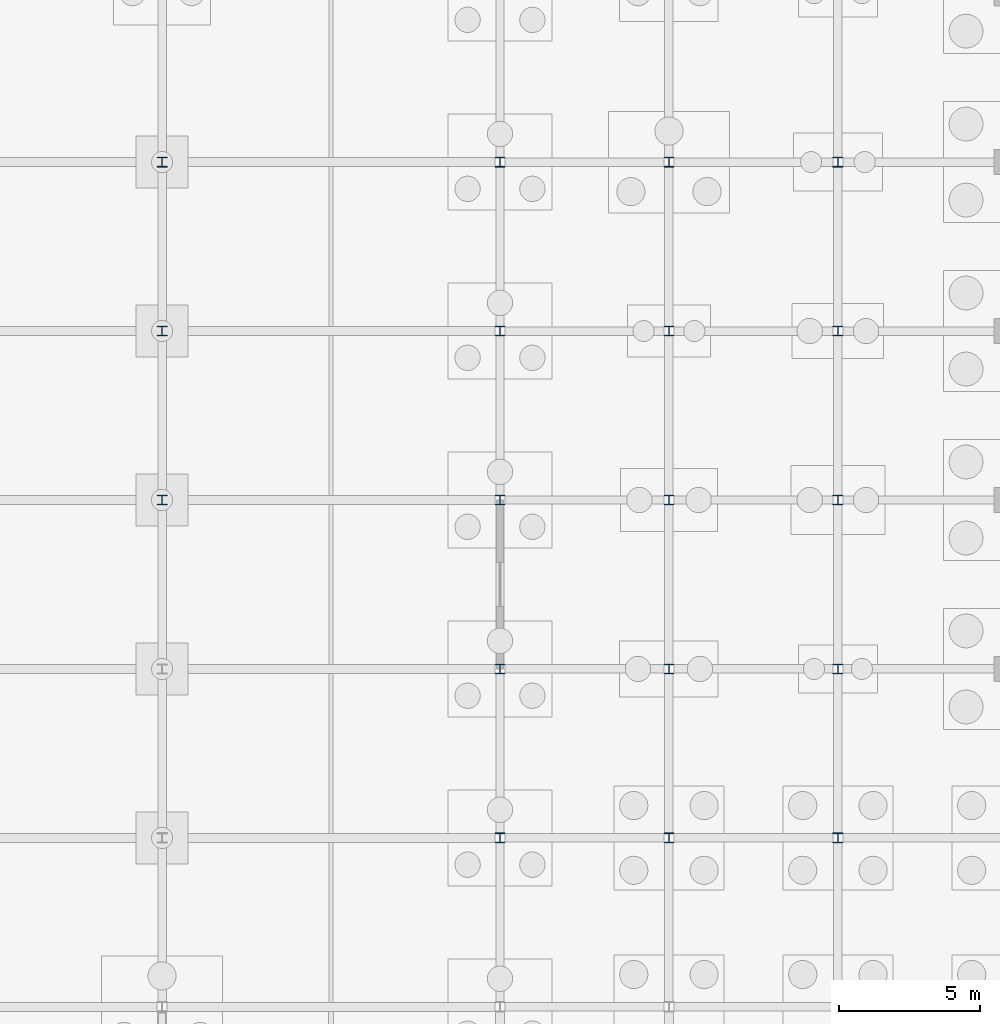
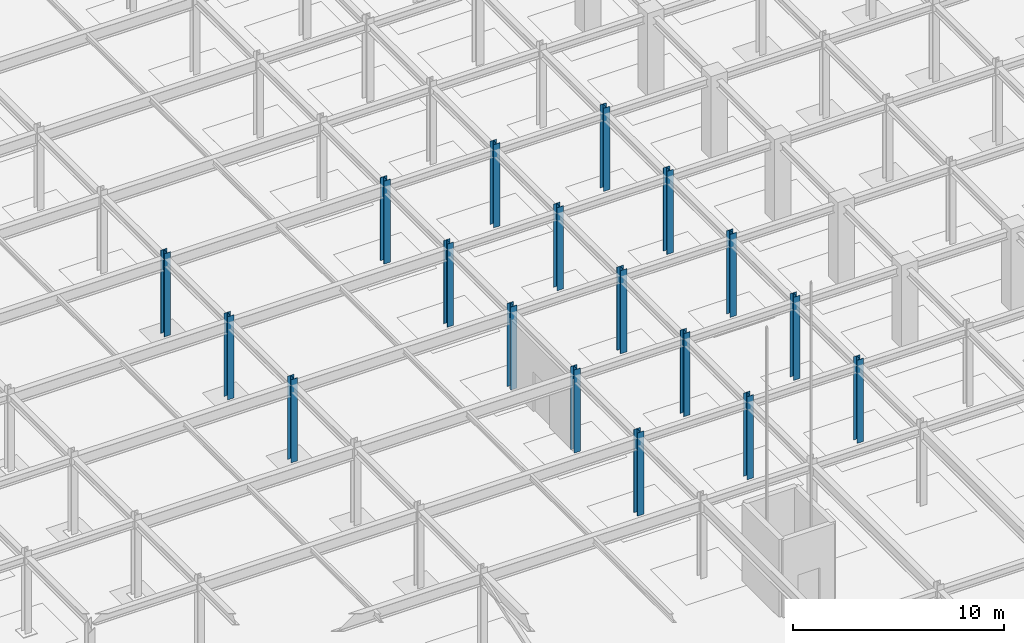
# One storey, part 15 of 69: 18 columns.
"""IFC4 building model written with IfcOpenShell, lengths in metres."""

from ifc_helpers import new_model, si_unit, direction, frame, origin, origin_2d, place, context, subcontext, project, spatial, i_section, extrude, material, material_profile, profile_set, type_object, element, save


model = new_model("IFC4")

# Units and contexts
model_context = context("Model", 3, precision=1e-05, world=origin(), true_north=direction((0.0, 1.0)))
body_context = subcontext(model_context, "Body", "Model", "MODEL_VIEW")
ifc_project = project(units=[si_unit("LENGTHUNIT", "METRE"), si_unit("AREAUNIT", "SQUARE_METRE"), si_unit("VOLUMEUNIT", "CUBIC_METRE"), si_unit("PLANEANGLEUNIT", "RADIAN"), si_unit("MASSUNIT", "GRAM", prefix="KILO")], contexts=[model_context])

# Site, building, storey
site_placement = place(None, origin())
site = spatial("IfcSite", under=ifc_project, at=site_placement, CompositionType="ELEMENT")
building_placement = place(site_placement, origin())
building = spatial("IfcBuilding", under=site, at=building_placement, Name="Zlatovratsky Civic Hall", CompositionType="ELEMENT")
storey_placement = place(building_placement, frame((0.0, 0.0, -4.800048828125)))
storey = spatial("IfcBuildingStorey", under=building, at=storey_placement, Name="B1", CompositionType="ELEMENT", Elevation=-4.800048828125)

# Columns
ifc_material = material(Name="Steel S355", Category="steel")
ifc_material_profile = material_profile(ifc_material, i_section(OverallWidth=0.35009765625, OverallDepth=0.35009765625, WebThickness=0.011962890625, FlangeThickness=0.01904296875, FilletRadius=0.02001953125, at=origin_2d()), Name="35K2")
ifc_profile_set = profile_set([ifc_material_profile], Name="Steel S355")
column_type = type_object("IfcColumnType", Name="Col_Steel_35K2", PredefinedType="COLUMN", material=ifc_profile_set)
for number, where, z_axis, x_axis, name in (
    (1, (48.0, 36.0, 0.0), (0.0, 0.0, 1.0), (1.0, 0.0, 0.0), "CL-0100"),
    (2, (54.0, 36.0, 0.0), (0.0, 0.0, 1.0), (1.0, 0.0, 0.0), "CL-0101"),
    (3, (60.0, 36.0, 0.0), (0.0, 0.0, 1.0), (1.0, 0.0, 0.0), "CL-0102"),
    (4, (48.0, 42.0, 0.0), (0.0, 0.0, 1.0), (1.0, 0.0, 0.0), "CL-0123"),
    (5, (54.0, 42.0, 0.0), (0.0, 0.0, 1.0), (1.0, 0.0, 0.0), "CL-0124"),
    (6, (60.0, 42.0, 0.0), (0.0, 0.0, 1.0), (1.0, 0.0, 0.0), "CL-0125"),
    (7, (36.0, 48.0, 0.0), (0.0, 0.0, 1.0), (1.0, 0.0, 0.0), "CL-0145"),
    (8, (48.0, 48.0, 0.0), (0.0, 0.0, 1.0), (1.0, 0.0, 0.0), "CL-0146"),
    (9, (54.0, 48.0, 0.0), (0.0, 0.0, 1.0), (1.0, 0.0, 0.0), "CL-0147"),
    (10, (60.0, 48.0, 0.0), (0.0, 0.0, 1.0), (1.0, 0.0, 0.0), "CL-0148"),
    (11, (36.0, 54.0, 0.0), (0.0, 0.0, 1.0), (1.0, 0.0, 0.0), "CL-0168"),
    (12, (48.0, 54.0, 0.0), (0.0, 0.0, 1.0), (1.0, 0.0, 0.0), "CL-0169"),
    (13, (54.0, 54.0, 0.0), (0.0, 0.0, 1.0), (1.0, 0.0, 0.0), "CL-0170"),
    (14, (60.0, 54.0, 0.0), (0.0, 0.0, 1.0), (1.0, 0.0, 0.0), "CL-0171"),
    (15, (36.0, 60.0, 0.0), (0.0, 0.0, 1.0), (1.0, 0.0, 0.0), "CL-0191"),
    (16, (48.0, 60.0, 0.0), (0.0, 0.0, 1.0), (1.0, 0.0, 0.0), "CL-0192"),
    (17, (54.0, 60.0, 0.0), (0.0, 0.0, 1.0), (1.0, 0.0, 0.0), "CL-0193"),
    (18, (60.0, 60.0, 0.0), (0.0, 0.0, 1.0), (1.0, 0.0, 0.0), "CL-0194"),
):
    element("IfcColumn", number, at=place(storey_placement, frame(where, z_axis=z_axis, x_axis=x_axis)), inside=storey, type_object=column_type, Name=name, PredefinedType="COLUMN", context=body_context, shape_type="SweptSolid", body=[
        extrude(i_section(OverallWidth=0.35009765625, OverallDepth=0.35009765625, WebThickness=0.011962890625, FlangeThickness=0.01904296875, FilletRadius=0.02001953125, at=origin_2d()), origin(), (0.0, 0.0, 1.0), 4.800048828125),
    ])

save(model, "model.ifc")
